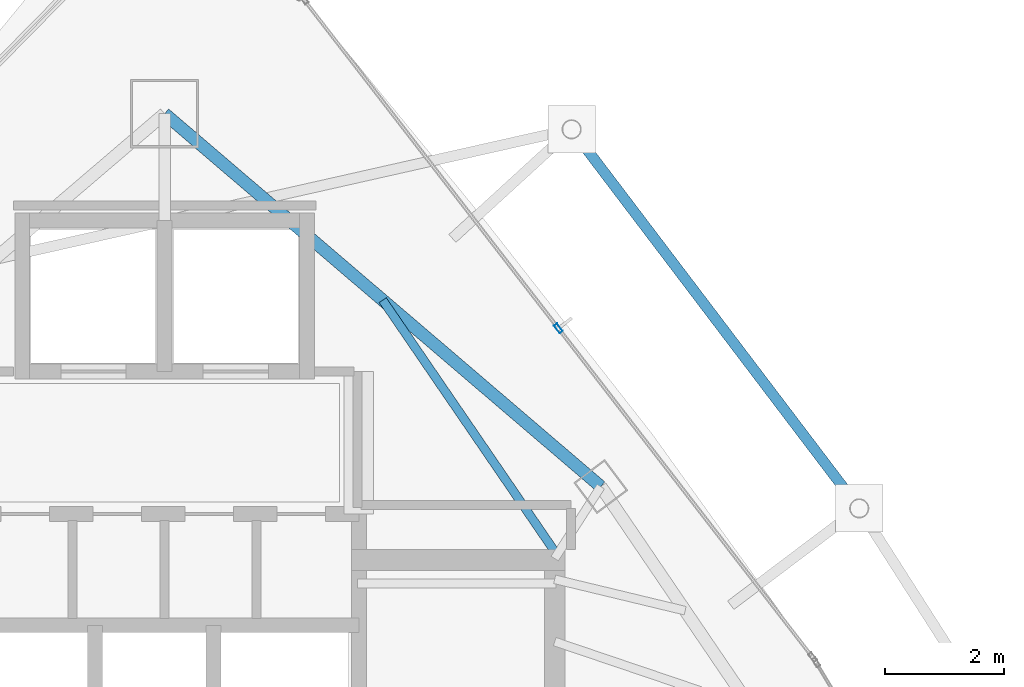
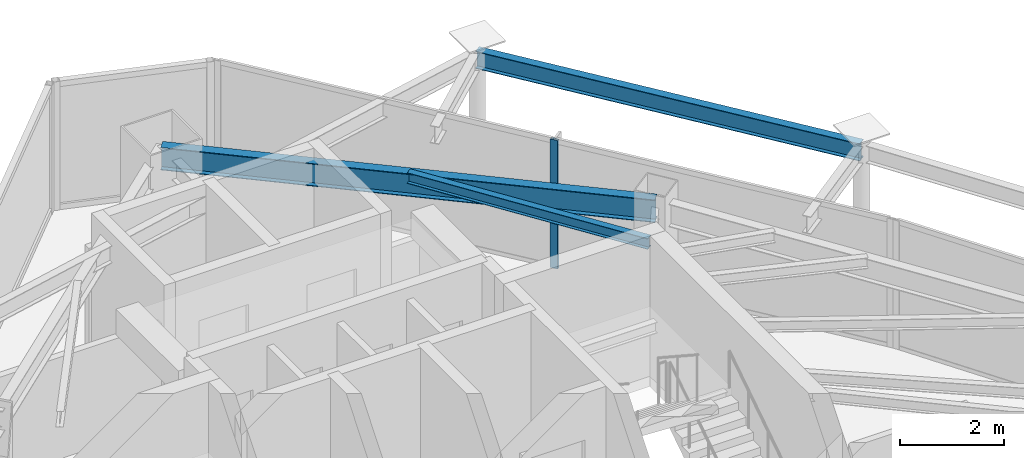
# One storey, part 23 of 30: 3 beams, 1 member, 1 element without a shape of its own.
"""IFC4 building model written with IfcOpenShell, lengths in metres."""

from ifc_helpers import new_model, si_unit, direction, frame, origin, origin_2d, place, context, subcontext, project, spatial, hollow_rectangle, i_section, extrude, material, layer, layer_set, material_profile, profile_set, type_object, element, aggregate, save


model = new_model("IFC4")

# Units and contexts
model_context = context("Model", 3, precision=1e-05, world=origin(), true_north=direction((0.0, 1.0)))
body_context = subcontext(model_context, "Body", "Model", "MODEL_VIEW")
ifc_project = project(units=[si_unit("LENGTHUNIT", "METRE"), si_unit("AREAUNIT", "SQUARE_METRE"), si_unit("VOLUMEUNIT", "CUBIC_METRE"), si_unit("PLANEANGLEUNIT", "RADIAN"), si_unit("MASSUNIT", "GRAM", prefix="KILO")], contexts=[model_context])

# Site, building, storey
site_placement = place(None, origin())
site = spatial("IfcSite", under=ifc_project, at=site_placement, CompositionType="ELEMENT")
building_placement = place(site_placement, origin())
building = spatial("IfcBuilding", under=site, at=building_placement, Name="Orvanel Arch Residences", CompositionType="ELEMENT")
storey_placement = place(building_placement, frame((0.0, 0.0, 273.35009765625)))
storey = spatial("IfcBuildingStorey", under=building, at=storey_placement, Name="L78", CompositionType="ELEMENT", Elevation=273.35009765625)

# Beam
ifc_material_1 = material(Name="Structural steel AS/NZS 3679.1 Grade 300 (300 MPa)", Category="steel")
ifc_material_profile_1 = material_profile(ifc_material_1, i_section(OverallWidth=0.14599609375, OverallDepth=0.251953125, WebThickness=0.006103515625, FlangeThickness=0.008544921875, at=origin_2d()), Name="250UB31.4")
ifc_profile_set_1 = profile_set([ifc_material_profile_1], Name="Structural steel AS/NZS 3679.1 Grade 300 (300 MPa)")
beam_type_1 = type_object("IfcBeamType", Name="BJ-250UB", PredefinedType="JOIST", material=ifc_profile_set_1)
beam_1_placement = place(storey_placement, frame((39.574951171875, 34.02001953125, 2.893798828125), z_axis=(-0.564868085352, 0.825181220188, 0.0), x_axis=(-0.825181220188, -0.564868085352, 0.0)))
element("IfcBeam", 1, at=beam_1_placement, inside=storey, type_object=beam_type_1, Name="L78 NNE2 Wing Floor Joist", PredefinedType="JOIST", context=body_context, shape_type="SweptSolid", body=[
    extrude(i_section(OverallWidth=0.14599609375, OverallDepth=0.251953125, WebThickness=0.006103515625, FlangeThickness=0.008544921875, at=origin_2d()), origin(), (0.0, 0.0, 1.0), 5.132080078125),
])

# Curtain wall, member
ifc_material_2 = material(Name="Bronze-anodised aluminium AA6063-T6", Category="aluminium")
ifc_layer = layer(ifc_material_2, 0.175048828125)
ifc_layer_set = layer_set([ifc_layer], Name="Bronze-anodised aluminium AA6063-T6")
curtain_wall_type = type_object("IfcCurtainWallType", Name="CW4-HI-SYS", PredefinedType="NOTDEFINED", material=ifc_layer_set)
curtain_wall_placement = place(storey_placement, origin())
curtain_wall = element("IfcCurtainWall", 2, at=curtain_wall_placement, inside=storey, type_object=curtain_wall_type, Name="L78 CW4-HI-SYS Unitised Curtain Wall", PredefinedType="NOTDEFINED")
ifc_material_profile_2 = material_profile(ifc_material_2, hollow_rectangle(XDim=0.06494140625, YDim=0.159912109375, WallThickness=0.00390625, at=origin_2d()), Name="ALU160x65x4")
ifc_profile_set_2 = profile_set([ifc_material_profile_2], Name="Bronze-anodised aluminium AA6063-T6")
member_type = type_object("IfcMemberType", Name="MUL-160x65", PredefinedType="MULLION", material=ifc_profile_set_2)
member_placement = place(storey_placement, frame((39.637451171875, 37.779052734375, 0.0), z_axis=(0.0, 0.0, 1.0), x_axis=(-0.791013108385, -0.611799201016, 0.0)))
member = element("IfcMember", 3, at=member_placement, type_object=member_type, Name="CW-S4 mullion 2", PredefinedType="MULLION", context=body_context, shape_type="SweptSolid", body=[
    extrude(hollow_rectangle(XDim=0.06494140625, YDim=0.159912109375, WallThickness=0.00390625, at=origin_2d()), origin(), (0.0, 0.0, 1.0), 3.02001953125),
])
aggregate(curtain_wall, [member])

# Beams
ifc_material_profile_3 = material_profile(ifc_material_1, i_section(OverallWidth=0.177978515625, OverallDepth=0.406005859375, WebThickness=0.0078125, FlangeThickness=0.0126953125, at=origin_2d()), Name="410UB59.7")
ifc_profile_set_3 = profile_set([ifc_material_profile_3], Name="Structural steel AS/NZS 3679.1 Grade 300 (300 MPa)")
beam_type_2 = type_object("IfcBeamType", Name="OB-410UB-EXT", PredefinedType="SPANDREL", material=ifc_profile_set_3)
beam_2_placement = place(storey_placement, frame((44.7080078125, 34.7451171875, 2.81689453125), z_axis=(-0.604476423474, 0.796623030965, 0.0), x_axis=(-0.796623030965, -0.604476423474, 0.0)))
element("IfcBeam", 4, at=beam_2_placement, inside=storey, type_object=beam_type_2, Name="L78 Outer Perimeter Floor Ring Beam 11", PredefinedType="SPANDREL", context=body_context, shape_type="SweptSolid", body=[
    extrude(i_section(OverallWidth=0.177978515625, OverallDepth=0.406005859375, WebThickness=0.0078125, FlangeThickness=0.0126953125, at=origin_2d()), origin(), (0.0, 0.0, 1.0), 8.02001953125),
])
ifc_material_profile_4 = material_profile(ifc_material_1, i_section(OverallWidth=0.208984375, OverallDepth=0.532958984375, WebThickness=0.01025390625, FlangeThickness=0.015625, at=origin_2d()), Name="530UB92.4")
ifc_profile_set_4 = profile_set([ifc_material_profile_4], Name="Structural steel AS/NZS 3679.1 Grade 300 (300 MPa)")
beam_type_3 = type_object("IfcBeamType", Name="SP-530UB", PredefinedType="SPANDREL", material=ifc_profile_set_4)
beam_3_placement = place(storey_placement, frame((40.35205078125, 35.113037109375, 2.7529296875), z_axis=(-0.760116518398, 0.649786794617, 0.0), x_axis=(-0.649786794617, -0.760116518398, 0.0)))
element("IfcBeam", 5, at=beam_3_placement, inside=storey, type_object=beam_type_3, Name="L78 Perimeter Spandrel Beam 09", PredefinedType="SPANDREL", context=body_context, shape_type="SweptSolid", body=[
    extrude(i_section(OverallWidth=0.208984375, OverallDepth=0.532958984375, WebThickness=0.01025390625, FlangeThickness=0.015625, at=origin_2d()), origin(), (0.0, 0.0, 1.0), 9.67236328125),
])

save(model, "model.ifc")
